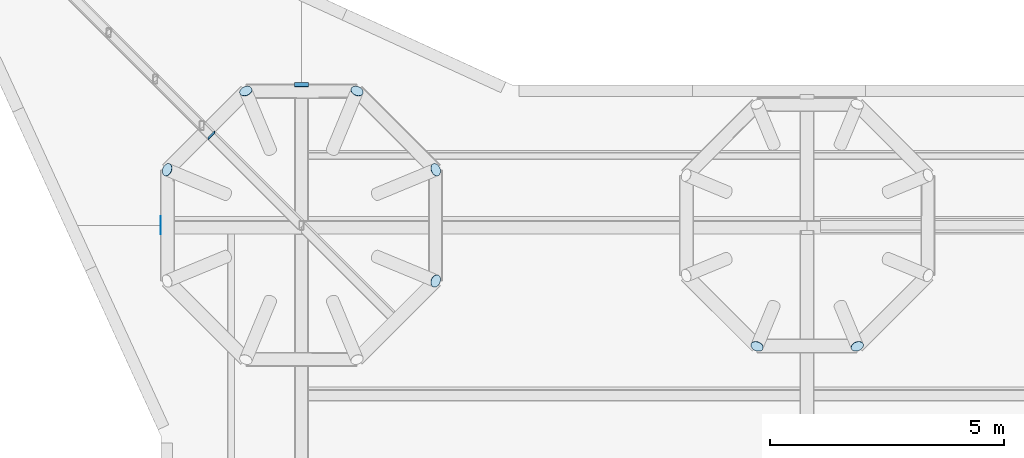
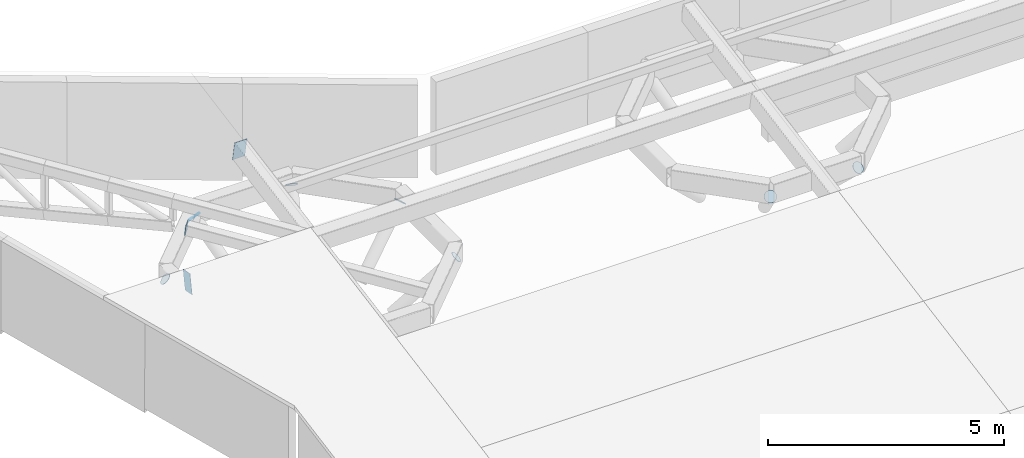
# One storey, part 17 of 32: 10 plates.
"""IFC4 building model written with IfcOpenShell, lengths in metres."""

from ifc_helpers import new_model, si_unit, direction, frame, origin, origin_2d, place, context, subcontext, project, spatial, rectangle, circle, extrude, material, material_profile, profile_set, type_object, element, save


model = new_model("IFC4")

# Units and contexts
model_context = context("Model", 3, precision=1e-05, world=origin(), true_north=direction((0.0, 1.0)))
body_context = subcontext(model_context, "Body", "Model", "MODEL_VIEW")
ifc_project = project(units=[si_unit("LENGTHUNIT", "METRE"), si_unit("AREAUNIT", "SQUARE_METRE"), si_unit("VOLUMEUNIT", "CUBIC_METRE"), si_unit("PLANEANGLEUNIT", "RADIAN"), si_unit("MASSUNIT", "GRAM", prefix="KILO")], contexts=[model_context])

# Site, building, storey
site_placement = place(None, origin())
site = spatial("IfcSite", under=ifc_project, at=site_placement, CompositionType="ELEMENT")
building_placement = place(site_placement, origin())
building = spatial("IfcBuilding", under=site, at=building_placement, Name="Magnolia Steps Interchange", CompositionType="ELEMENT")
storey_placement = place(building_placement, frame((0.0, 0.0, 16.5)))
storey = spatial("IfcBuildingStorey", under=building, at=storey_placement, Name="L04", CompositionType="ELEMENT", Elevation=16.5)

# Plates
ifc_material_1 = material(Name="Steel Q355B", Category="steel")
ifc_material_profile_1 = material_profile(ifc_material_1, circle(Radius=0.136474609375, at=origin_2d()), Name="End plate CHS273x14")
ifc_profile_set_1 = profile_set([ifc_material_profile_1], Name="Steel Q355B")
plate_type_1 = type_object("IfcPlateType", Name="End plate CHS273x14", PredefinedType="SHEET", material=ifc_profile_set_1)
for number, where, z_axis, x_axis, name in (
    (1, (56.06396484375, 86.786376953125, 1.401123046875), (0.664583318381, 0.275279424158, 0.694658370398), (-0.382683432789, 0.923879532336, 0.0), "End plate Tree rib"),
    (2, (54.38623046875, 88.464111328125, 1.401123046875), (0.275279424158, 0.664583318381, 0.694658370398), (-0.923879532336, 0.382683432789, 0.0), "End plate Tree rib"),
    (3, (52.013671875, 88.464111328125, 1.401123046875), (-0.275279424158, 0.664583318381, 0.694658370398), (-0.923879532336, -0.382683432789, 0.0), "End plate Tree rib"),
    (4, (50.3359375, 86.786376953125, 1.401123046875), (-0.664583318381, 0.275279424158, 0.694658370398), (-0.382683432789, -0.923879532336, 0.0), "End plate Tree rib"),
    (5, (56.06396484375, 84.413818359375, 1.401123046875), (0.664583318381, -0.275279424158, 0.694658370398), (0.382683432789, 0.923879532336, 0.0), "End plate Tree rib"),
    (6, (62.931396484375, 83.02001953125, 1.401123046875), (-0.275279424158, -0.664583318381, 0.694658370398), (0.923879532336, -0.382683432789, 0.0), "End plate Tree rib"),
    (7, (65.068603515625, 83.02001953125, 1.401123046875), (0.275279424158, -0.664583318381, 0.694658370398), (0.923879532336, 0.382683432789, 0.0), "End plate Tree rib"),
):
    element("IfcPlate", number, at=place(storey_placement, frame(where, z_axis=z_axis, x_axis=x_axis)), inside=storey, type_object=plate_type_1, Name=name, PredefinedType="SHEET", context=body_context, shape_type="SweptSolid", body=[
        extrude(circle(Radius=0.136474609375, at=origin_2d()), origin(), (0.0, 0.0, 1.0), 0.008056640625),
    ])
ifc_material_2 = material(Name="Steel Q355B", Category="steel")
ifc_material_profile_2 = material_profile(ifc_material_2, rectangle(XDim=0.199951171875, YDim=0.300048828125, at=origin_2d()), Name="End plate RHS300x200x12")
ifc_profile_set_2 = profile_set([ifc_material_profile_2], Name="Steel Q355B")
plate_type_2 = type_object("IfcPlateType", Name="End plate RHS300x200x12", PredefinedType="SHEET", material=ifc_profile_set_2)
plate_placement = place(storey_placement, frame((51.281005859375, 87.51904296875, 1.947998046875), z_axis=(-0.701264636593, 0.701264636593, 0.128280235925), x_axis=(-0.712901051665, -0.689818158293, -0.126186366241)))
element("IfcPlate", 8, at=plate_placement, inside=storey, type_object=plate_type_2, Name="End plate Spike truss bottom chord", PredefinedType="SHEET", context=body_context, shape_type="SweptSolid", body=[
    extrude(rectangle(XDim=0.199951171875, YDim=0.300048828125, at=origin_2d()), origin(), (0.0, 0.0, 1.0), 0.008056640625),
])
ifc_material_3 = material(Name="Steel Q355B", Category="steel")
ifc_material_profile_3 = material_profile(ifc_material_3, rectangle(XDim=0.300048828125, YDim=0.5, at=origin_2d()), Name="End plate RHS500x300x16")
ifc_profile_set_3 = profile_set([ifc_material_profile_3], Name="Steel Q355B")
plate_type_3 = type_object("IfcPlateType", Name="End plate RHS500x300x16", PredefinedType="SHEET", material=ifc_profile_set_3)
for number, where, z_axis, x_axis, name in (
    (9, (50.199951171875, 85.60009765625, 2.095458984375), (-1.0, 0.0, 0.0), (0.0, -0.98367737698, 0.17994115154), "End plate Roof beam"),
    (10, (53.199951171875, 88.60009765625, 2.644287109375), (0.0, 0.98367993979, 0.179927140962), (-1.0, 0.0, 0.0), "End plate Roof beam"),
):
    element("IfcPlate", number, at=place(storey_placement, frame(where, z_axis=z_axis, x_axis=x_axis)), inside=storey, type_object=plate_type_3, Name=name, PredefinedType="SHEET", context=body_context, shape_type="SweptSolid", body=[
        extrude(rectangle(XDim=0.300048828125, YDim=0.5, at=origin_2d()), origin(), (0.0, 0.0, 1.0), 0.008056640625),
    ])

save(model, "model.ifc")
